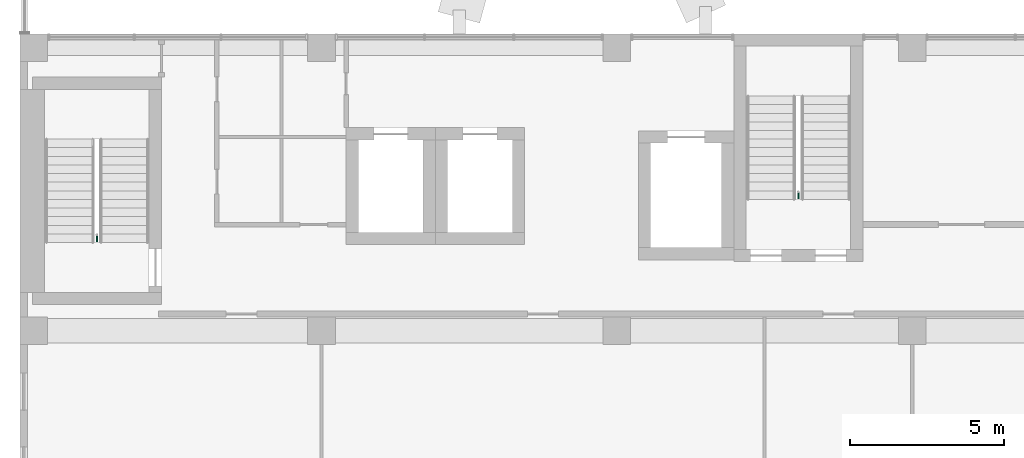
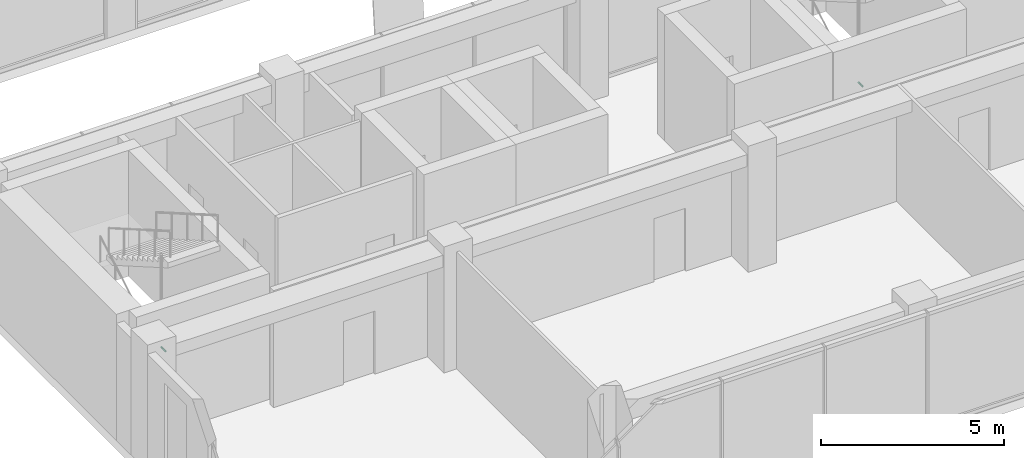
# One storey, part 35 of 36: 2 pipe fittings.
"""IFC4 building model written with IfcOpenShell, lengths in metres."""

import ifcopenshell
import ifcopenshell.guid

model = None  # the IFC model being written
_history = None  # IfcOwnerHistory: only IFC2X3 demands one
_inside = {}  # id of a spatial element -> (the spatial element, [elements in it])
_under = {}  # id of a project, library or spatial element -> (it, [spatial elements below it])
_declared = {}  # id of a project -> (the project, [libraries it declares])
_typed = {}  # id of a type object -> (the type object, [elements of that type])
_made_of = {}  # id of a material, layer set ... -> (it, [elements and type objects made of it])


def new_model(schema):
    """Start an empty IFC model of exactly this schema.

    Asked for "IFC4X3", IfcOpenShell would pick the latest addendum, in which some entities
    have other attributes; the version numbers below select the first issue.
    IFC2X3 requires an IfcOwnerHistory on every rooted entity: one is made here for all.
    """
    global model, _history
    if schema == "IFC4X3":
        model = ifcopenshell.file(schema_version=(4, 3, 0, 0))
    else:
        model = ifcopenshell.file(schema=schema)
    _inside.clear()
    _under.clear()
    _declared.clear()
    _typed.clear()
    _made_of.clear()
    _history = None
    if model.schema == "IFC2X3":
        org = make("IfcOrganization", Name="unknown")
        user = make(
            "IfcPersonAndOrganization",
            ThePerson=make("IfcPerson", FamilyName="unknown"),
            TheOrganization=org,
        )
        app = make(
            "IfcApplication",
            ApplicationDeveloper=org,
            Version="unknown",
            ApplicationFullName="unknown",
            ApplicationIdentifier="unknown",
        )
        _history = make(
            "IfcOwnerHistory",
            OwningUser=user,
            OwningApplication=app,
            ChangeAction="ADDED",
            CreationDate=0,
        )
    return model


def make(cls, **values):
    """One entity of the class cls with the attributes given. An attribute that is None is left unset."""
    return model.create_entity(
        cls, **{name: value for name, value in values.items() if value is not None}
    )


def rooted(cls, **values):
    """An entity with a GlobalId (a new one), such as an element, a storey or a relation."""
    return make(cls, GlobalId=ifcopenshell.guid.new(), OwnerHistory=_history, **values)


def si_unit(unit_type, name, prefix=None):
    """IfcSIUnit, for example si_unit("LENGTHUNIT", "METRE", prefix="MILLI")."""
    return make("IfcSIUnit", UnitType=unit_type, Prefix=prefix, Name=name)


def assignment(units):
    """IfcUnitAssignment: the units of a project."""
    return None if units is None else make("IfcUnitAssignment", Units=units)


def point(xyz):
    """IfcCartesianPoint."""
    return None if xyz is None else make("IfcCartesianPoint", Coordinates=xyz)


def direction(xyz):
    """IfcDirection."""
    return None if xyz is None else make("IfcDirection", DirectionRatios=xyz)


def frame(location, z_axis=None, x_axis=None):
    """IfcAxis2Placement3D, a coordinate frame: its origin and axes. An axis left out is left unset."""
    return make(
        "IfcAxis2Placement3D",
        Location=point(location),
        Axis=direction(z_axis),
        RefDirection=direction(x_axis),
    )


def frame_2d(location, x_axis=None):
    """IfcAxis2Placement2D, a coordinate frame in the plane: its origin and x axis."""
    return make(
        "IfcAxis2Placement2D", Location=point(location), RefDirection=direction(x_axis)
    )


def origin():
    """The frame at (0, 0, 0) with its axes left unset."""
    return frame((0.0, 0.0, 0.0))


def origin_2d():
    """The frame at (0, 0) in the plane with its x axis left unset."""
    return frame_2d((0.0, 0.0))


def place(relative_to, where):
    """IfcLocalPlacement: puts the frame where relative to a parent placement (None: the world)."""
    return make(
        "IfcLocalPlacement", PlacementRelTo=relative_to, RelativePlacement=where
    )


def context(
    kind, dimensions, precision=None, world=None, true_north=None, identifier=None
):
    """IfcGeometricRepresentationContext, for example the 3D "Model" context."""
    return make(
        "IfcGeometricRepresentationContext",
        ContextIdentifier=identifier,
        ContextType=kind,
        CoordinateSpaceDimension=dimensions,
        Precision=precision,
        WorldCoordinateSystem=world,
        TrueNorth=true_north,
    )


def subcontext(parent, identifier, kind, view, scale=None):
    """IfcGeometricRepresentationSubContext, for example "Body" below "Model"."""
    return make(
        "IfcGeometricRepresentationSubContext",
        ContextIdentifier=identifier,
        ContextType=kind,
        ParentContext=parent,
        TargetScale=scale,
        TargetView=view,
    )


def project(units=None, contexts=None):
    """IfcProject with its units and contexts."""
    return rooted(
        "IfcProject",
        Name="project",
        RepresentationContexts=contexts,
        UnitsInContext=assignment(units),
    )


def spatial(cls, under=None, at=None, **own):
    """A site, building, storey or space (cls), placed at a placement, below another one or the project."""
    s = rooted(cls, ObjectPlacement=at, **own)
    if under is not None:
        _under.setdefault(under.id(), (under, []))[1].append(s)
    return s


def profile(cls, at=None, kind="AREA", **sizes):
    """A parametric profile (cls). Its sizes go by their IFC names, for example OverallWidth=200.0."""
    return make(cls, ProfileType=kind, Position=at, **sizes)


def circle(**sizes):
    """IfcCircleProfileDef."""
    return profile("IfcCircleProfileDef", **sizes)


def extrude(swept, where, along, depth):
    """IfcExtrudedAreaSolid: the profile swept, set in the frame where, extruded along a direction by depth."""
    return make(
        "IfcExtrudedAreaSolid",
        SweptArea=swept,
        Position=where,
        ExtrudedDirection=direction(along),
        Depth=depth,
    )


def shape(context_of_items, identifier, shape_type, items):
    """IfcShapeRepresentation: the items that make up one representation, for example the "Body"."""
    return make(
        "IfcShapeRepresentation",
        ContextOfItems=context_of_items,
        RepresentationIdentifier=identifier,
        RepresentationType=shape_type,
        Items=items,
    )


def made_of(thing, what):
    """Note that an element or type object is made of a material, layer set ...; save() writes the relation."""
    if what is not None:
        _made_of.setdefault(what.id(), (what, []))[1].append(thing)
    return thing


def element(
    cls,
    number,
    at=None,
    inside=None,
    cuts=None,
    type_object=None,
    material=None,
    context=None,
    identifier="Body",
    shape_type=None,
    held_by="IfcProductDefinitionShape",
    body=None,
    shapes=None,
    **own,
):
    """One element of the class cls, such as IfcWall. Its Tag is "e" and its number.

    at: its placement. inside: the storey or other place that contains it. cuts: it is an
    opening in that element (IfcRelVoidsElement). A single representation is given by context,
    identifier, shape_type and body (its items); several are given by shapes. held_by: the class
    of the entity that holds the representations. save() writes the other relations.
    """
    e = rooted(cls, Tag="e%d" % number, ObjectPlacement=at, **own)
    if body is not None:
        shapes = [shape(context, identifier, shape_type, body)]
    if shapes is not None:
        e.Representation = make(held_by, Representations=shapes)
    if inside is not None:
        _inside.setdefault(inside.id(), (inside, []))[1].append(e)
    if cuts is not None:
        rooted(
            "IfcRelVoidsElement", RelatingBuildingElement=cuts, RelatedOpeningElement=e
        )
    if type_object is not None:
        _typed.setdefault(type_object.id(), (type_object, []))[1].append(e)
    return made_of(e, material)


def aggregate(whole, parts):
    """IfcRelAggregates: a whole, such as a stair, and the parts it consists of."""
    return rooted("IfcRelAggregates", RelatingObject=whole, RelatedObjects=parts)


def save(model, path):
    """Write the relations noted so far, then the file.

    IfcRelAggregates (storeys below a building ...), IfcRelContainedInSpatialStructure (elements
    in a storey), IfcRelDefinesByType, IfcRelAssociatesMaterial and IfcRelDeclares: one each for
    every whole, place, type object, material and project.
    """
    for whole, parts in _under.values():
        aggregate(whole, parts)
    for where, things in _inside.values():
        rooted(
            "IfcRelContainedInSpatialStructure",
            RelatedElements=things,
            RelatingStructure=where,
        )
    for kind, things in _typed.values():
        rooted("IfcRelDefinesByType", RelatedObjects=things, RelatingType=kind)
    for what, things in _made_of.values():
        rooted("IfcRelAssociatesMaterial", RelatedObjects=things, RelatingMaterial=what)
    for by, libraries in _declared.values():
        rooted("IfcRelDeclares", RelatingContext=by, RelatedDefinitions=libraries)
    model.write(path)


model = new_model("IFC4")

# Units and contexts
model_context = context("Model", 3, precision=1e-05, world=origin(), true_north=direction((0.0, 1.0)))
body_context = subcontext(model_context, "Body", "Model", "MODEL_VIEW")
ifc_project = project(units=[si_unit("LENGTHUNIT", "METRE"), si_unit("AREAUNIT", "SQUARE_METRE"), si_unit("VOLUMEUNIT", "CUBIC_METRE"), si_unit("PLANEANGLEUNIT", "RADIAN"), si_unit("MASSUNIT", "GRAM", prefix="KILO")], contexts=[model_context])

# Site, building, storey
site_placement = place(None, origin())
site = spatial("IfcSite", under=ifc_project, at=site_placement, CompositionType="ELEMENT")
building_placement = place(site_placement, origin())
building = spatial("IfcBuilding", under=site, at=building_placement, Name="Nzadi Deep Aquarium and Research Tower", CompositionType="ELEMENT")
storey_placement = place(building_placement, frame((0.0, 0.0, 44.5)))
storey = spatial("IfcBuildingStorey", under=building, at=storey_placement, Name="L08", CompositionType="ELEMENT", Elevation=44.5)

# Pipe fittings
for number, where, z_axis, x_axis, name in (
    (1, (2.300048828125, 12.320068359375, 1.10009765625), (0.0, -1.0, 0.0), (1.0, 0.0, 0.0), "Dry riser outlet ST-Z1-SW L08"),
    (2, (25.10009765625, 13.719970703125, 1.10009765625), (0.0, -1.0, 0.0), (1.0, 0.0, 0.0), "Dry riser outlet ST-Z1-SE L08"),
):
    element("IfcPipeFitting", number, at=place(storey_placement, frame(where, z_axis=z_axis, x_axis=x_axis)), inside=storey, Name=name, PredefinedType="EXIT", context=body_context, shape_type="SweptSolid", body=[
        extrude(circle(Radius=0.0224609375, at=origin_2d()), origin(), (0.0, 0.0, 1.0), 0.22998046875),
    ])

save(model, "model.ifc")
